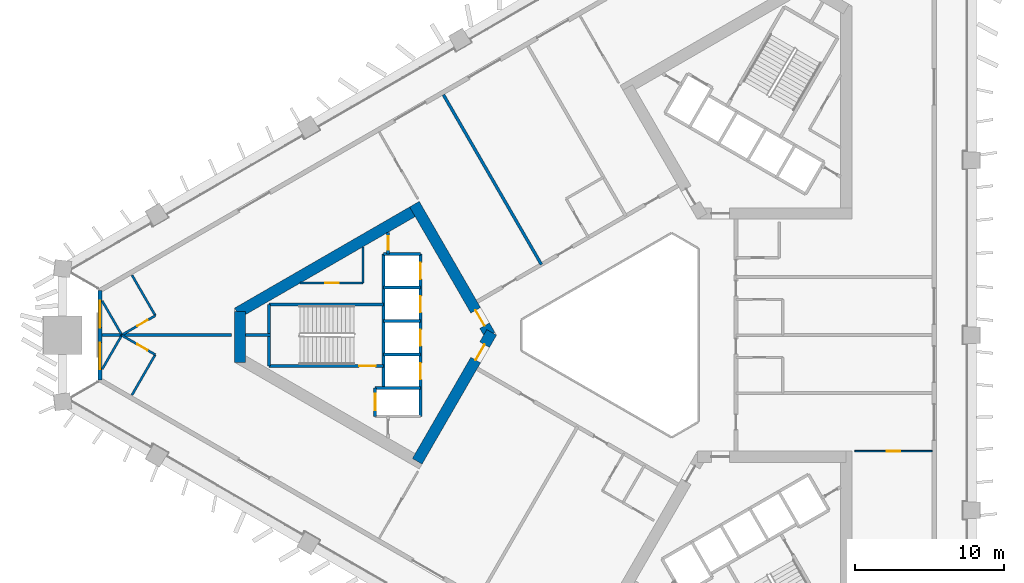
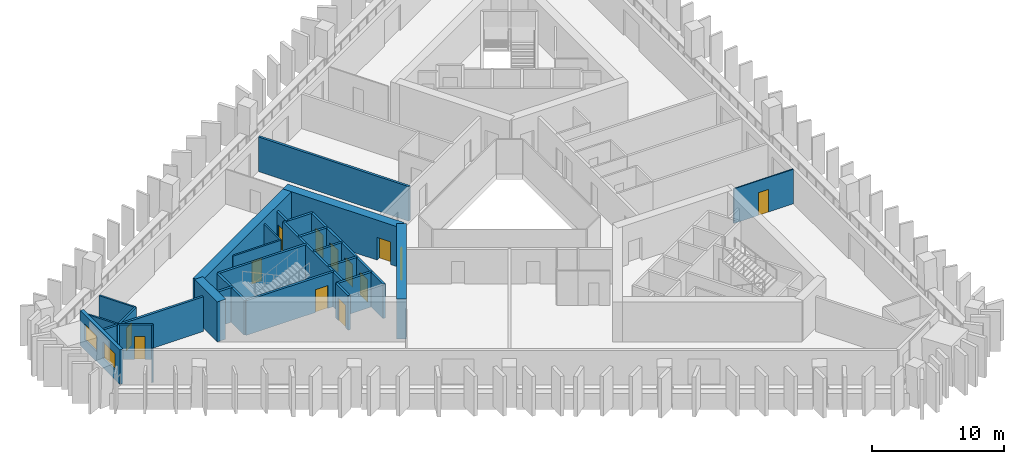
# One storey, part 4 of 11: 29 walls, 13 doors, 2 windows, 15 openings.
"""IFC4 building model written with IfcOpenShell, lengths in metres."""

from ifc_helpers import new_model, si_unit, direction, frame, frame_2d, origin, place, context, subcontext, project, spatial, rectangle, extrude, material, layer, layer_set, type_object, element, fill, save


model = new_model("IFC4")

# Units and contexts
model_context = context("Model", 3, precision=1e-05, world=origin(), true_north=direction((0.0, 1.0)))
body_context = subcontext(model_context, "Body", "Model", "MODEL_VIEW")
ifc_project = project(units=[si_unit("LENGTHUNIT", "METRE"), si_unit("AREAUNIT", "SQUARE_METRE"), si_unit("VOLUMEUNIT", "CUBIC_METRE"), si_unit("PLANEANGLEUNIT", "RADIAN"), si_unit("MASSUNIT", "GRAM", prefix="KILO")], contexts=[model_context])

# Site, building, storey
site_placement = place(None, origin())
site = spatial("IfcSite", under=ifc_project, at=site_placement, CompositionType="ELEMENT")
building_placement = place(site_placement, origin())
building = spatial("IfcBuilding", under=site, at=building_placement, Name="Jabali Bay Hotel Tower and Convention Centre", CompositionType="ELEMENT")
storey_placement = place(building_placement, frame((0.0, 0.0, 83.199951171875)))
storey = spatial("IfcBuildingStorey", under=building, at=storey_placement, Name="L19", CompositionType="ELEMENT", Elevation=83.199951171875)

# Wall
ifc_material_1 = material(Name="Concrete C40", Category="concrete")
ifc_layer_1 = layer(ifc_material_1, 0.199951171875)
ifc_layer_set_1 = layer_set([ifc_layer_1], Name="Concrete C40")
wall_type_1 = type_object("IfcWallType", Name="Core partition wall 200", PredefinedType="PARTITIONING", material=ifc_layer_set_1)
wall_1_placement = place(storey_placement, frame((50.820068359375, 80.0, 0.0), z_axis=(0.0, 0.0, 1.0), x_axis=(-1.0, 0.0, 0.0)))
element("IfcWall", 1, at=wall_1_placement, inside=storey, type_object=wall_type_1, Name="Core wall 0.5 L19", PredefinedType="PARTITIONING", context=body_context, shape_type="SweptSolid", body=[
    extrude(rectangle(XDim=1.673095703125, YDim=0.199951171875, at=frame_2d((0.83642578125, 0.0))), origin(), (0.0, 0.0, 1.0), 3.199951171875),
])

# Wall, opening, door
wall_2_placement = place(storey_placement, frame((58.719970703125, 86.916748046875, 0.0), z_axis=(0.0, 0.0, 1.0), x_axis=(0.0, -1.0, 0.0)))
wall_2 = element("IfcWall", 2, at=wall_2_placement, inside=storey, type_object=wall_type_1, Name="Core wall 0.11 L19", PredefinedType="PARTITIONING", context=body_context, shape_type="SweptSolid", body=[
    extrude(rectangle(XDim=1.466796875, YDim=0.199951171875, at=frame_2d((0.7333984375, 0.0))), origin(), (0.0, 0.0, 1.0), 3.199951171875),
])
opening_1_placement = place(wall_2_placement, frame((0.283447265625, 0.0, 0.0)))
opening_1 = element("IfcOpeningElement", 3, at=opening_1_placement, cuts=wall_2, Name="Opening D459", PredefinedType="OPENING", context=body_context, shape_type="SweptSolid", body=[
    extrude(rectangle(XDim=0.89990234375, YDim=2.10009765625, at=frame_2d((0.449951171875, 1.050048828125))), frame((0.0, 0.1103515625, 0.0), z_axis=(0.0, -1.0, 0.0), x_axis=(1.0, 0.0, 0.0)), (0.0, 0.0, 1.0), 0.220947265625),
])
ifc_material_2 = material(Name="Fire-rated steel door", Category="steel")
door_type_1 = type_object("IfcDoorType", Name="Vestibule fire door 900 x 2100", OperationType="NOTDEFINED", PredefinedType="NOTDEFINED", material=ifc_material_2)
door_1_placement = place(opening_1_placement, origin())
door_1 = element("IfcDoor", 4, at=door_1_placement, inside=storey, type_object=door_type_1, Name="Vestibule fire door D459", OperationType="SINGLE_SWING_LEFT", OverallHeight=2.10009765625, OverallWidth=0.89990234375, PredefinedType="NOTDEFINED", context=body_context, shape_type="SweptSolid", body=[
    extrude(rectangle(XDim=0.89990234375, YDim=2.10009765625, at=frame_2d((0.449951171875, 1.050048828125))), frame((0.0, 0.02490234375, 0.0), z_axis=(0.0, -1.0, 0.0), x_axis=(1.0, 0.0, 0.0)), (0.0, 0.0, 1.0), 0.050048828125),
])
fill(opening_1, door_1)

ifc_material_3 = material(Name="Fire-rated board partition")
ifc_layer_2 = layer(ifc_material_3, 0.14990234375)
ifc_layer_set_2 = layer_set([ifc_layer_2], Name="Fire-rated board partition")
wall_type_2 = type_object("IfcWallType", Name="Core room partition 150", PredefinedType="PARTITIONING", material=ifc_layer_set_2)
wall_3_placement = place(storey_placement, frame((57.02001953125, 83.5, 0.0), z_axis=(0.0, 0.0, 1.0), x_axis=(-1.0, 0.0, 0.0)))
wall_3 = element("IfcWall", 5, at=wall_3_placement, inside=storey, type_object=wall_type_2, Name="Core wall 0.1 L19", PredefinedType="PARTITIONING", context=body_context, shape_type="SweptSolid", body=[
    extrude(rectangle(XDim=4.2177734375, YDim=0.14990234375, at=frame_2d((2.10888671875, 0.0))), origin(), (0.0, 0.0, 1.0), 3.199951171875),
])
opening_2_placement = place(wall_3_placement, frame((1.63134765625, 0.0, 0.0)))
opening_2 = element("IfcOpeningElement", 6, at=opening_2_placement, cuts=wall_3, Name="Opening D461", PredefinedType="OPENING", context=body_context, shape_type="SweptSolid", body=[
    extrude(rectangle(XDim=0.89990234375, YDim=2.10009765625, at=frame_2d((0.449951171875, 1.050048828125))), frame((0.0, 0.08544921875, 0.0), z_axis=(0.0, -1.0, 0.0), x_axis=(1.0, 0.0, 0.0)), (0.0, 0.0, 1.0), 0.1708984375),
])
door_type_2 = type_object("IfcDoorType", Name="Core room door 900 x 2100", OperationType="NOTDEFINED", PredefinedType="NOTDEFINED", material=ifc_material_2)
door_2_placement = place(opening_2_placement, origin())
door_2 = element("IfcDoor", 7, at=door_2_placement, inside=storey, type_object=door_type_2, Name="Core room door D461", OperationType="SINGLE_SWING_LEFT", OverallHeight=2.10009765625, OverallWidth=0.89990234375, PredefinedType="NOTDEFINED", context=body_context, shape_type="SweptSolid", body=[
    extrude(rectangle(XDim=0.89990234375, YDim=2.10009765625, at=frame_2d((0.449951171875, 1.050048828125))), frame((0.0, 0.02490234375, 0.0), z_axis=(0.0, -1.0, 0.0), x_axis=(1.0, 0.0, 0.0)), (0.0, 0.0, 1.0), 0.050048828125),
])
fill(opening_2, door_2)

# Walls
wall_4_placement = place(storey_placement, frame((57.02001953125, 85.935302734375, 0.0), z_axis=(0.0, 0.0, 1.0), x_axis=(0.0, -1.0, 0.0)))
element("IfcWall", 8, at=wall_4_placement, inside=storey, type_object=wall_type_2, Name="Core wall 0.15 L19", PredefinedType="PARTITIONING", context=body_context, shape_type="SweptSolid", body=[
    extrude(rectangle(XDim=2.435302734375, YDim=0.14990234375, at=frame_2d((1.2177734375, 0.0))), origin(), (0.0, 0.0, 1.0), 3.199951171875),
])
ifc_layer_3 = layer(ifc_material_1, 0.199951171875)
ifc_layer_set_3 = layer_set([ifc_layer_3], Name="Concrete C40")
wall_type_3 = type_object("IfcWallType", Name="Core stair wall 200", PredefinedType="SOLIDWALL", material=ifc_layer_set_3)
for number, where, z_axis, x_axis, name in (
    (9, (60.89990234375, 85.449951171875, 0.0), (0.0, 0.0, 1.0), (-1.0, 0.0, 0.0), "Core wall 0.0 L19"),
    (10, (60.89990234375, 83.199951171875, 0.0), (0.0, 0.0, 1.0), (-1.0, 0.0, 0.0), "Core wall 0.2 L19"),
):
    element("IfcWall", number, at=place(storey_placement, frame(where, z_axis=z_axis, x_axis=x_axis)), inside=storey, type_object=wall_type_3, Name=name, PredefinedType="SOLIDWALL", context=body_context, shape_type="SweptSolid", body=[
        extrude(rectangle(XDim=2.47998046875, YDim=0.199951171875, at=frame_2d((1.239990234375, 0.0))), origin(), (0.0, 0.0, 1.0), 3.199951171875),
    ])
wall_5_placement = place(storey_placement, frame((58.419921875, 82.074951171875, 0.0), z_axis=(0.0, 0.0, 1.0), x_axis=(-1.0, 0.0, 0.0)))
element("IfcWall", 11, at=wall_5_placement, inside=storey, type_object=wall_type_3, Name="Core wall 0.3 L19", PredefinedType="SOLIDWALL", context=body_context, shape_type="SweptSolid", body=[
    extrude(rectangle(XDim=7.699951171875, YDim=0.199951171875, at=frame_2d((3.85009765625, 0.0))), origin(), (0.0, 0.0, 1.0), 3.199951171875),
])
for number, where, z_axis, x_axis, name in (
    (12, (60.89990234375, 80.949951171875, 0.0), (0.0, 0.0, 1.0), (-1.0, 0.0, 0.0), "Core wall 0.4 L19"),
    (13, (60.89990234375, 78.699951171875, 0.0), (0.0, 0.0, 1.0), (-1.0, 0.0, 0.0), "Core wall 0.6 L19"),
):
    element("IfcWall", number, at=place(storey_placement, frame(where, z_axis=z_axis, x_axis=x_axis)), inside=storey, type_object=wall_type_3, Name=name, PredefinedType="SOLIDWALL", context=body_context, shape_type="SweptSolid", body=[
        extrude(rectangle(XDim=2.47998046875, YDim=0.199951171875, at=frame_2d((1.239990234375, 0.0))), origin(), (0.0, 0.0, 1.0), 3.199951171875),
    ])

# Wall, opening, door
wall_6_placement = place(storey_placement, frame((58.419921875, 77.925048828125, 0.0), z_axis=(0.0, 0.0, 1.0), x_axis=(-1.0, 0.0, 0.0)))
wall_6 = element("IfcWall", 14, at=wall_6_placement, inside=storey, type_object=wall_type_3, Name="Core wall 0.7 L19", PredefinedType="SOLIDWALL", context=body_context, shape_type="SweptSolid", body=[
    extrude(rectangle(XDim=7.699951171875, YDim=0.199951171875, at=frame_2d((3.85009765625, 0.0))), origin(), (0.0, 0.0, 1.0), 3.199951171875),
])
opening_3_placement = place(wall_6_placement, frame((0.550048828125, 0.0, 0.0)))
opening_3 = element("IfcOpeningElement", 15, at=opening_3_placement, cuts=wall_6, Name="Opening D460", PredefinedType="OPENING", context=body_context, shape_type="SweptSolid", body=[
    extrude(rectangle(XDim=1.10009765625, YDim=2.10009765625, at=frame_2d((0.550048828125, 1.050048828125))), frame((0.0, 0.1103515625, 0.0), z_axis=(0.0, -1.0, 0.0), x_axis=(1.0, 0.0, 0.0)), (0.0, 0.0, 1.0), 0.220947265625),
])
door_type_3 = type_object("IfcDoorType", Name="Stair fire door 1100 x 2100", OperationType="NOTDEFINED", PredefinedType="NOTDEFINED", material=ifc_material_2)
door_3_placement = place(opening_3_placement, origin())
door_3 = element("IfcDoor", 16, at=door_3_placement, inside=storey, type_object=door_type_3, Name="Stair fire door D460", OperationType="SINGLE_SWING_RIGHT", OverallHeight=2.10009765625, OverallWidth=1.10009765625, PredefinedType="NOTDEFINED", context=body_context, shape_type="SweptSolid", body=[
    extrude(rectangle(XDim=1.10009765625, YDim=2.10009765625, at=frame_2d((0.550048828125, 1.050048828125))), frame((0.0, 0.02490234375, 0.0), z_axis=(0.0, -1.0, 0.0), x_axis=(1.0, 0.0, 0.0)), (0.0, 0.0, 1.0), 0.050048828125),
])
fill(opening_3, door_3)

# Wall
wall_7_placement = place(storey_placement, frame((60.89990234375, 76.449951171875, 0.0), z_axis=(0.0, 0.0, 1.0), x_axis=(-1.0, 0.0, 0.0)))
element("IfcWall", 17, at=wall_7_placement, inside=storey, type_object=wall_type_3, Name="Core wall 0.8 L19", PredefinedType="SOLIDWALL", context=body_context, shape_type="SweptSolid", body=[
    extrude(rectangle(XDim=3.0498046875, YDim=0.199951171875, at=frame_2d((1.52490234375, 0.0))), origin(), (0.0, 0.0, 1.0), 3.199951171875),
])

# Wall, openings, doors
wall_8_placement = place(storey_placement, frame((60.89990234375, 85.449951171875, 0.0), z_axis=(0.0, 0.0, 1.0), x_axis=(0.0, -1.0, 0.0)))
wall_8 = element("IfcWall", 18, at=wall_8_placement, inside=storey, type_object=wall_type_3, Name="Core wall 0.10 L19", PredefinedType="SOLIDWALL", context=body_context, shape_type="SweptSolid", body=[
    extrude(rectangle(XDim=10.89990234375, YDim=0.199951171875, at=frame_2d((5.449951171875, 0.0))), origin(), (0.0, 0.0, 1.0), 3.199951171875),
])
opening_4_placement = place(wall_8_placement, frame((0.574951171875, 0.0, 0.0)))
opening_4 = element("IfcOpeningElement", 19, at=opening_4_placement, cuts=wall_8, Name="Opening LD1-L19", PredefinedType="OPENING", context=body_context, shape_type="SweptSolid", body=[
    extrude(rectangle(XDim=1.10009765625, YDim=2.10009765625, at=frame_2d((0.550048828125, 1.050048828125))), frame((0.0, 0.1103515625, 0.0), z_axis=(0.0, -1.0, 0.0), x_axis=(1.0, 0.0, 0.0)), (0.0, 0.0, 1.0), 0.220947265625),
])
opening_5_placement = place(wall_8_placement, frame((2.824951171875, 0.0, 0.0)))
opening_5 = element("IfcOpeningElement", 20, at=opening_5_placement, cuts=wall_8, Name="Opening LD2-L19", PredefinedType="OPENING", context=body_context, shape_type="SweptSolid", body=[
    extrude(rectangle(XDim=1.10009765625, YDim=2.10009765625, at=frame_2d((0.550048828125, 1.050048828125))), frame((0.0, 0.1103515625, 0.0), z_axis=(0.0, -1.0, 0.0), x_axis=(1.0, 0.0, 0.0)), (0.0, 0.0, 1.0), 0.220947265625),
])
opening_6_placement = place(wall_8_placement, frame((5.074951171875, 0.0, 0.0)))
opening_6 = element("IfcOpeningElement", 21, at=opening_6_placement, cuts=wall_8, Name="Opening LD3-L19", PredefinedType="OPENING", context=body_context, shape_type="SweptSolid", body=[
    extrude(rectangle(XDim=1.10009765625, YDim=2.10009765625, at=frame_2d((0.550048828125, 1.050048828125))), frame((0.0, 0.1103515625, 0.0), z_axis=(0.0, -1.0, 0.0), x_axis=(1.0, 0.0, 0.0)), (0.0, 0.0, 1.0), 0.220947265625),
])
opening_7_placement = place(wall_8_placement, frame((7.324951171875, 0.0, 0.0)))
opening_7 = element("IfcOpeningElement", 22, at=opening_7_placement, cuts=wall_8, Name="Opening LD4-L19", PredefinedType="OPENING", context=body_context, shape_type="SweptSolid", body=[
    extrude(rectangle(XDim=1.10009765625, YDim=2.10009765625, at=frame_2d((0.550048828125, 1.050048828125))), frame((0.0, 0.1103515625, 0.0), z_axis=(0.0, -1.0, 0.0), x_axis=(1.0, 0.0, 0.0)), (0.0, 0.0, 1.0), 0.220947265625),
])
ifc_material_4 = material(Name="Stainless steel landing door", Category="steel")
door_type_4 = type_object("IfcDoorType", Name="Landing door 1100 x 2100", OperationType="NOTDEFINED", PredefinedType="NOTDEFINED", material=ifc_material_4)
door_4_placement = place(opening_4_placement, origin())
door_4 = element("IfcDoor", 23, at=door_4_placement, inside=storey, type_object=door_type_4, Name="Landing doors LD1-L19", OperationType="SLIDING_TO_RIGHT", OverallHeight=2.10009765625, OverallWidth=1.10009765625, PredefinedType="NOTDEFINED", context=body_context, shape_type="SweptSolid", body=[
    extrude(rectangle(XDim=1.10009765625, YDim=2.10009765625, at=frame_2d((0.550048828125, 1.050048828125))), frame((0.0, 0.02490234375, 0.0), z_axis=(0.0, -1.0, 0.0), x_axis=(1.0, 0.0, 0.0)), (0.0, 0.0, 1.0), 0.050048828125),
])
fill(opening_4, door_4)
door_5_placement = place(opening_5_placement, origin())
door_5 = element("IfcDoor", 24, at=door_5_placement, inside=storey, type_object=door_type_4, Name="Landing doors LD2-L19", OperationType="SLIDING_TO_LEFT", OverallHeight=2.10009765625, OverallWidth=1.10009765625, PredefinedType="NOTDEFINED", context=body_context, shape_type="SweptSolid", body=[
    extrude(rectangle(XDim=1.10009765625, YDim=2.10009765625, at=frame_2d((0.550048828125, 1.050048828125))), frame((0.0, 0.02490234375, 0.0), z_axis=(0.0, -1.0, 0.0), x_axis=(1.0, 0.0, 0.0)), (0.0, 0.0, 1.0), 0.050048828125),
])
fill(opening_5, door_5)
door_6_placement = place(opening_6_placement, origin())
door_6 = element("IfcDoor", 25, at=door_6_placement, inside=storey, type_object=door_type_4, Name="Landing doors LD3-L19", OperationType="SLIDING_TO_RIGHT", OverallHeight=2.10009765625, OverallWidth=1.10009765625, PredefinedType="NOTDEFINED", context=body_context, shape_type="SweptSolid", body=[
    extrude(rectangle(XDim=1.10009765625, YDim=2.10009765625, at=frame_2d((0.550048828125, 1.050048828125))), frame((0.0, 0.02490234375, 0.0), z_axis=(0.0, -1.0, 0.0), x_axis=(1.0, 0.0, 0.0)), (0.0, 0.0, 1.0), 0.050048828125),
])
fill(opening_6, door_6)
door_7_placement = place(opening_7_placement, origin())
door_7 = element("IfcDoor", 26, at=door_7_placement, inside=storey, type_object=door_type_4, Name="Landing doors LD4-L19", OperationType="SLIDING_TO_LEFT", OverallHeight=2.10009765625, OverallWidth=1.10009765625, PredefinedType="NOTDEFINED", context=body_context, shape_type="SweptSolid", body=[
    extrude(rectangle(XDim=1.10009765625, YDim=2.10009765625, at=frame_2d((0.550048828125, 1.050048828125))), frame((0.0, 0.02490234375, 0.0), z_axis=(0.0, -1.0, 0.0), x_axis=(1.0, 0.0, 0.0)), (0.0, 0.0, 1.0), 0.050048828125),
])
fill(opening_7, door_7)

# Wall
wall_9_placement = place(storey_placement, frame((58.419921875, 85.449951171875, 0.0), z_axis=(0.0, 0.0, 1.0), x_axis=(0.0, -1.0, 0.0)))
element("IfcWall", 27, at=wall_9_placement, inside=storey, type_object=wall_type_3, Name="Core wall 0.13 L19", PredefinedType="SOLIDWALL", context=body_context, shape_type="SweptSolid", body=[
    extrude(rectangle(XDim=9.0, YDim=0.199951171875, at=frame_2d((4.5, 0.0))), origin(), (0.0, 0.0, 1.0), 3.199951171875),
])

# Wall, opening, door
wall_10_placement = place(storey_placement, frame((57.85009765625, 76.449951171875, 0.0), z_axis=(0.0, 0.0, 1.0), x_axis=(0.0, -1.0, 0.0)))
wall_10 = element("IfcWall", 28, at=wall_10_placement, inside=storey, type_object=wall_type_3, Name="Core wall 0.14 L19", PredefinedType="SOLIDWALL", context=body_context, shape_type="SweptSolid", body=[
    extrude(rectangle(XDim=1.89990234375, YDim=0.199951171875, at=frame_2d((0.949951171875, 0.0))), origin(), (0.0, 0.0, 1.0), 3.199951171875),
])
opening_8_placement = place(wall_10_placement, frame((0.39990234375, 0.0, 0.0)))
opening_8 = element("IfcOpeningElement", 29, at=opening_8_placement, cuts=wall_10, Name="Opening LD5-L19", PredefinedType="OPENING", context=body_context, shape_type="SweptSolid", body=[
    extrude(rectangle(XDim=1.10009765625, YDim=2.10009765625, at=frame_2d((0.550048828125, 1.050048828125))), frame((0.0, 0.1103515625, 0.0), z_axis=(0.0, -1.0, 0.0), x_axis=(1.0, 0.0, 0.0)), (0.0, 0.0, 1.0), 0.220947265625),
])
door_8_placement = place(opening_8_placement, origin())
door_8 = element("IfcDoor", 30, at=door_8_placement, inside=storey, type_object=door_type_4, Name="Landing doors LD5-L19", OperationType="SLIDING_TO_RIGHT", OverallHeight=2.10009765625, OverallWidth=1.10009765625, PredefinedType="NOTDEFINED", context=body_context, shape_type="SweptSolid", body=[
    extrude(rectangle(XDim=1.10009765625, YDim=2.10009765625, at=frame_2d((0.550048828125, 1.050048828125))), frame((0.0, 0.02490234375, 0.0), z_axis=(0.0, -1.0, 0.0), x_axis=(1.0, 0.0, 0.0)), (0.0, 0.0, 1.0), 0.050048828125),
])
fill(opening_8, door_8)

# Wall
wall_11_placement = place(storey_placement, frame((50.719970703125, 82.074951171875, 0.0), z_axis=(0.0, 0.0, 1.0), x_axis=(0.0, -1.0, 0.0)))
element("IfcWall", 31, at=wall_11_placement, inside=storey, type_object=wall_type_3, Name="Core wall 0.16 L19", PredefinedType="SOLIDWALL", context=body_context, shape_type="SweptSolid", body=[
    extrude(rectangle(XDim=4.14990234375, YDim=0.199951171875, at=frame_2d((2.074951171875, 0.0))), origin(), (0.0, 0.0, 1.0), 3.199951171875),
])

# Wall, opening, door
ifc_material_5 = material(Name="Concrete C60", Category="concrete")
ifc_layer_4 = layer(ifc_material_5, 0.75)
ifc_layer_set_4 = layer_set([ifc_layer_4], Name="Concrete C60")
wall_type_4 = type_object("IfcWallType", Name="Core wall 750", PredefinedType="SHEAR", material=ifc_layer_set_4)
wall_12_placement = place(storey_placement, frame((65.56689453125, 80.0, 0.0), z_axis=(0.0, 0.0, 1.0), x_axis=(-0.499988615364, 0.866031976607, 0.0)))
wall_12 = element("IfcWall", 32, at=wall_12_placement, inside=storey, type_object=wall_type_4, Name="Core wall 1.1 L19", PredefinedType="SHEAR", context=body_context, shape_type="SweptSolid", body=[
    extrude(rectangle(XDim=10.163330078125, YDim=0.75, at=frame_2d((5.08154296875, 0.0))), origin(), (0.0, 0.0, 1.0), 3.699951171875),
])
opening_9_placement = place(wall_12_placement, frame((0.7333984375, 0.0, 0.0)))
opening_9 = element("IfcOpeningElement", 33, at=opening_9_placement, cuts=wall_12, Name="Opening D456", PredefinedType="OPENING", context=body_context, shape_type="SweptSolid", body=[
    extrude(rectangle(XDim=1.199951171875, YDim=2.10009765625, at=frame_2d((0.60009765625, 1.050048828125))), frame((0.0, 0.385498046875, 0.0), z_axis=(0.0, -1.0, 0.0), x_axis=(1.0, 0.0, 0.0)), (0.0, 0.0, 1.0), 0.77099609375),
])
door_type_5 = type_object("IfcDoorType", Name="Corridor end fire door 1200 x 2100", OperationType="NOTDEFINED", PredefinedType="NOTDEFINED", material=ifc_material_2)
door_9_placement = place(opening_9_placement, origin())
door_9 = element("IfcDoor", 34, at=door_9_placement, inside=storey, type_object=door_type_5, Name="Corridor end fire door D456", OperationType="SINGLE_SWING_RIGHT", OverallHeight=2.10009765625, OverallWidth=1.199951171875, PredefinedType="NOTDEFINED", context=body_context, shape_type="SweptSolid", body=[
    extrude(rectangle(XDim=1.199951171875, YDim=2.10009765625, at=frame_2d((0.60009765625, 1.050048828125))), frame((0.0, 0.02490234375, 0.0), z_axis=(0.0, -1.0, 0.0), x_axis=(1.0, 0.0, 0.0)), (0.0, 0.0, 1.0), 0.050048828125),
])
fill(opening_9, door_9)

# Walls
wall_13_placement = place(storey_placement, frame((60.6728515625, 88.47705078125, 0.0), z_axis=(0.0, 0.0, 1.0), x_axis=(-0.8660248072, -0.500001033313, 0.0)))
element("IfcWall", 35, at=wall_13_placement, inside=storey, type_object=wall_type_4, Name="Core wall 1.2 L19", PredefinedType="SHEAR", context=body_context, shape_type="SweptSolid", body=[
    extrude(rectangle(XDim=13.95849609375, YDim=0.75, at=frame_2d((6.979248046875, 0.0))), origin(), (0.0, 0.0, 1.0), 3.699951171875),
])
wall_14_placement = place(storey_placement, frame((48.77197265625, 81.606201171875, 0.0), z_axis=(0.0, 0.0, 1.0), x_axis=(0.0, -1.0, 0.0)))
element("IfcWall", 36, at=wall_14_placement, inside=storey, type_object=wall_type_4, Name="Core wall 1.3 L19", PredefinedType="SHEAR", context=body_context, shape_type="SweptSolid", body=[
    extrude(rectangle(XDim=3.428955078125, YDim=0.75, at=frame_2d((1.71435546875, 0.0))), origin(), (0.0, 0.0, 1.0), 3.699951171875),
])

# Wall, opening, door
wall_15_placement = place(storey_placement, frame((60.6728515625, 71.52294921875, 0.0), z_axis=(0.0, 0.0, 1.0), x_axis=(0.499997052475, 0.866027105532, 0.0)))
wall_15 = element("IfcWall", 37, at=wall_15_placement, inside=storey, type_object=wall_type_4, Name="Core wall 1.5 L19", PredefinedType="SHEAR", context=body_context, shape_type="SweptSolid", body=[
    extrude(rectangle(XDim=10.0048828125, YDim=0.75, at=frame_2d((5.00244140625, 0.0))), origin(), (0.0, 0.0, 1.0), 3.699951171875),
])
opening_10_placement = place(wall_15_placement, frame((7.85498046875, 0.0, 0.0)))
opening_10 = element("IfcOpeningElement", 38, at=opening_10_placement, cuts=wall_15, Name="Opening D457", PredefinedType="OPENING", context=body_context, shape_type="SweptSolid", body=[
    extrude(rectangle(XDim=1.199951171875, YDim=2.10009765625, at=frame_2d((0.60009765625, 1.050048828125))), frame((0.0, 0.385498046875, 0.0), z_axis=(0.0, -1.0, 0.0), x_axis=(1.0, 0.0, 0.0)), (0.0, 0.0, 1.0), 0.77099609375),
])
door_10_placement = place(opening_10_placement, origin())
door_10 = element("IfcDoor", 39, at=door_10_placement, inside=storey, type_object=door_type_5, Name="Corridor end fire door D457", OperationType="SINGLE_SWING_LEFT", OverallHeight=2.10009765625, OverallWidth=1.199951171875, PredefinedType="NOTDEFINED", context=body_context, shape_type="SweptSolid", body=[
    extrude(rectangle(XDim=1.199951171875, YDim=2.10009765625, at=frame_2d((0.60009765625, 1.050048828125))), frame((0.0, 0.02490234375, 0.0), z_axis=(0.0, -1.0, 0.0), x_axis=(1.0, 0.0, 0.0)), (0.0, 0.0, 1.0), 0.050048828125),
])
fill(opening_10, door_10)

# Wall, openings, windows
ifc_layer_5 = layer(ifc_material_1, 0.300048828125)
ifc_layer_set_5 = layer_set([ifc_layer_5], Name="Concrete C40")
wall_type_5 = type_object("IfcWallType", Name="External wall 300", PredefinedType="SOLIDWALL", material=ifc_layer_set_5)
wall_16_placement = place(storey_placement, frame((39.353271484375, 76.994873046875, 0.0), z_axis=(0.0, 0.0, 1.0), x_axis=(0.0, 1.0, 0.0)))
wall_16 = element("IfcWall", 40, at=wall_16_placement, inside=storey, type_object=wall_type_5, Name="External wall west chamfer L19", PredefinedType="SOLIDWALL", context=body_context, shape_type="SweptSolid", body=[
    extrude(rectangle(XDim=6.01025390625, YDim=0.300048828125, at=frame_2d((3.005126953125, 0.0))), origin(), (0.0, 0.0, 1.0), 3.199951171875),
])
opening_11_placement = place(wall_16_placement, frame((3.512451171875, 0.0, 0.89990234375)))
opening_11 = element("IfcOpeningElement", 41, at=opening_11_placement, cuts=wall_16, Name="Opening W1", PredefinedType="OPENING", context=body_context, shape_type="SweptSolid", body=[
    extrude(rectangle(XDim=1.800048828125, YDim=1.5, at=frame_2d((0.89990234375, 0.75))), frame((0.0, 0.16064453125, 0.0), z_axis=(0.0, -1.0, 0.0), x_axis=(1.0, 0.0, 0.0)), (0.0, 0.0, 1.0), 0.321044921875),
])
opening_12_placement = place(wall_16_placement, frame((0.70458984375, 0.0, 0.89990234375)))
opening_12 = element("IfcOpeningElement", 42, at=opening_12_placement, cuts=wall_16, Name="Opening W1", PredefinedType="OPENING", context=body_context, shape_type="SweptSolid", body=[
    extrude(rectangle(XDim=1.800048828125, YDim=1.5, at=frame_2d((0.89990234375, 0.75))), frame((0.0, 0.16064453125, 0.0), z_axis=(0.0, -1.0, 0.0), x_axis=(1.0, 0.0, 0.0)), (0.0, 0.0, 1.0), 0.321044921875),
])
ifc_material_6 = material(Name="Glass", Category="glass")
window_type = type_object("IfcWindowType", Name="Window 1800 x 1500", PartitioningType="SINGLE_PANEL", PredefinedType="WINDOW", material=ifc_material_6)
window_1_placement = place(opening_11_placement, origin())
window_1 = element("IfcWindow", 43, at=window_1_placement, inside=storey, type_object=window_type, Name="Window 1907", OverallHeight=1.5, OverallWidth=1.800048828125, PartitioningType="SINGLE_PANEL", PredefinedType="WINDOW", context=body_context, shape_type="SweptSolid", body=[
    extrude(rectangle(XDim=1.800048828125, YDim=1.5, at=frame_2d((0.89990234375, 0.75))), frame((0.0, 0.030029296875, 0.0), z_axis=(0.0, -1.0, 0.0), x_axis=(1.0, 0.0, 0.0)), (0.0, 0.0, 1.0), 0.06005859375),
])
fill(opening_11, window_1)
window_2_placement = place(opening_12_placement, origin())
window_2 = element("IfcWindow", 44, at=window_2_placement, inside=storey, type_object=window_type, Name="Window 1908", OverallHeight=1.5, OverallWidth=1.800048828125, PartitioningType="SINGLE_PANEL", PredefinedType="WINDOW", context=body_context, shape_type="SweptSolid", body=[
    extrude(rectangle(XDim=1.800048828125, YDim=1.5, at=frame_2d((0.89990234375, 0.75))), frame((0.0, 0.030029296875, 0.0), z_axis=(0.0, -1.0, 0.0), x_axis=(1.0, 0.0, 0.0)), (0.0, 0.0, 1.0), 0.06005859375),
])
fill(opening_12, window_2)

# Wall, opening, door
ifc_material_7 = material(Name="Plasterboard on steel stud", Category="steel")
ifc_layer_6 = layer(ifc_material_7, 0.10009765625)
ifc_layer_set_6 = layer_set([ifc_layer_6], Name="Plasterboard on steel stud")
wall_type_6 = type_object("IfcWallType", Name="Partition 100 unit", PredefinedType="PARTITIONING", material=ifc_layer_set_6)
wall_17_placement = place(storey_placement, frame((90.0791015625, 72.205810546875, 0.0), z_axis=(0.0, 0.0, 1.0), x_axis=(1.0, 0.0, 0.0)))
wall_17 = element("IfcWall", 45, at=wall_17_placement, inside=storey, type_object=wall_type_6, Name="Partition P02 L19 001", PredefinedType="PARTITIONING", context=body_context, shape_type="SweptSolid", body=[
    extrude(rectangle(XDim=5.19775390625, YDim=0.10009765625, at=frame_2d((2.598876953125, 0.0))), origin(), (0.0, 0.0, 1.0), 3.199951171875),
])
opening_13_placement = place(wall_17_placement, frame((2.14892578125, 0.0, 0.0)))
opening_13 = element("IfcOpeningElement", 46, at=opening_13_placement, cuts=wall_17, Name="Opening 1902", PredefinedType="OPENING", context=body_context, shape_type="SweptSolid", body=[
    extrude(rectangle(XDim=0.89990234375, YDim=2.10009765625, at=frame_2d((0.449951171875, 1.050048828125))), frame((0.0, 0.060546875, 0.0), z_axis=(0.0, -1.0, 0.0), x_axis=(1.0, 0.0, 0.0)), (0.0, 0.0, 1.0), 0.12109375),
])
ifc_material_8 = material(Name="Timber", Category="wood")
door_type_6 = type_object("IfcDoorType", Name="Internal door 900 x 2100", OperationType="NOTDEFINED", PredefinedType="NOTDEFINED", material=ifc_material_8)
door_11_placement = place(opening_13_placement, origin())
door_11 = element("IfcDoor", 47, at=door_11_placement, inside=storey, type_object=door_type_6, Name="Door 1902", OperationType="SINGLE_SWING_RIGHT", OverallHeight=2.10009765625, OverallWidth=0.89990234375, PredefinedType="NOTDEFINED", context=body_context, shape_type="SweptSolid", body=[
    extrude(rectangle(XDim=0.89990234375, YDim=2.10009765625, at=frame_2d((0.449951171875, 1.050048828125))), frame((0.0, 0.02490234375, 0.0), z_axis=(0.0, -1.0, 0.0), x_axis=(1.0, 0.0, 0.0)), (0.0, 0.0, 1.0), 0.050048828125),
])
fill(opening_13, door_11)

# Wall
ifc_layer_7 = layer(ifc_material_7, 0.14990234375)
ifc_layer_set_7 = layer_set([ifc_layer_7], Name="Plasterboard on steel stud")
wall_type_7 = type_object("IfcWallType", Name="Partition 150 wet", PredefinedType="PARTITIONING", material=ifc_layer_set_7)
wall_18_placement = place(storey_placement, frame((41.50439453125, 84.02783203125, 0.0), z_axis=(0.0, 0.0, 1.0), x_axis=(0.499967424082, -0.866044210682, 0.0)))
element("IfcWall", 48, at=wall_18_placement, inside=storey, type_object=wall_type_7, Name="Partition P03 L19 027", PredefinedType="PARTITIONING", context=body_context, shape_type="SweptSolid", body=[
    extrude(rectangle(XDim=3.134521484375, YDim=0.14990234375, at=frame_2d((1.5673828125, 0.0))), origin(), (0.0, 0.0, 1.0), 3.199951171875),
])

# Wall, opening, door
wall_19_placement = place(storey_placement, frame((43.071533203125, 81.313232421875, 0.0), z_axis=(0.0, 0.0, 1.0), x_axis=(-0.866021400173, -0.500006934395, 0.0)))
wall_19 = element("IfcWall", 49, at=wall_19_placement, inside=storey, type_object=wall_type_7, Name="Partition P03 L19 028", PredefinedType="PARTITIONING", context=body_context, shape_type="SweptSolid", body=[
    extrude(rectangle(XDim=2.60009765625, YDim=0.14990234375, at=frame_2d((1.300048828125, 0.0))), origin(), (0.0, 0.0, 1.0), 3.199951171875),
])
opening_14_placement = place(wall_19_placement, frame((0.60009765625, 0.0, 0.0)))
opening_14 = element("IfcOpeningElement", 50, at=opening_14_placement, cuts=wall_19, Name="Opening 1917", PredefinedType="OPENING", context=body_context, shape_type="SweptSolid", body=[
    extrude(rectangle(XDim=0.800048828125, YDim=2.10009765625, at=frame_2d((0.39990234375, 1.050048828125))), frame((0.0, 0.08544921875, 0.0), z_axis=(0.0, -1.0, 0.0), x_axis=(1.0, 0.0, 0.0)), (0.0, 0.0, 1.0), 0.1708984375),
])
door_type_7 = type_object("IfcDoorType", Name="En-suite door 800 x 2100", OperationType="NOTDEFINED", PredefinedType="NOTDEFINED", material=ifc_material_8)
door_12_placement = place(opening_14_placement, origin())
door_12 = element("IfcDoor", 51, at=door_12_placement, inside=storey, type_object=door_type_7, Name="Door 1917", OperationType="SINGLE_SWING_LEFT", OverallHeight=2.10009765625, OverallWidth=0.800048828125, PredefinedType="NOTDEFINED", context=body_context, shape_type="SweptSolid", body=[
    extrude(rectangle(XDim=0.800048828125, YDim=2.10009765625, at=frame_2d((0.39990234375, 1.050048828125))), frame((0.0, 0.02490234375, 0.0), z_axis=(0.0, -1.0, 0.0), x_axis=(1.0, 0.0, 0.0)), (0.0, 0.0, 1.0), 0.050048828125),
])
fill(opening_14, door_12)

# Walls
wall_20_placement = place(storey_placement, frame((40.81982421875, 80.01318359375, 0.0), z_axis=(0.0, 0.0, 1.0), x_axis=(-0.499995114243, 0.866028224559, 0.0)))
element("IfcWall", 52, at=wall_20_placement, inside=storey, type_object=wall_type_7, Name="Partition P03 L19 029", PredefinedType="PARTITIONING", context=body_context, shape_type="SweptSolid", body=[
    extrude(rectangle(XDim=2.63525390625, YDim=0.14990234375, at=frame_2d((1.317626953125, 0.0))), origin(), (0.0, 0.0, 1.0), 3.199951171875),
])
wall_21_placement = place(storey_placement, frame((39.502197265625, 77.7177734375, 0.0), z_axis=(0.0, 0.0, 1.0), x_axis=(0.499972156837, 0.866041478445, 0.0)))
element("IfcWall", 53, at=wall_21_placement, inside=storey, type_object=wall_type_7, Name="Partition P03 L19 033", PredefinedType="PARTITIONING", context=body_context, shape_type="SweptSolid", body=[
    extrude(rectangle(XDim=2.623779296875, YDim=0.14990234375, at=frame_2d((1.31201171875, 0.0))), origin(), (0.0, 0.0, 1.0), 3.199951171875),
])

# Wall, opening, door
wall_22_placement = place(storey_placement, frame((40.81396484375, 79.989990234375, 0.0), z_axis=(0.0, 0.0, 1.0), x_axis=(0.866062058628, -0.499936506574, 0.0)))
wall_22 = element("IfcWall", 54, at=wall_22_placement, inside=storey, type_object=wall_type_7, Name="Partition P03 L19 034", PredefinedType="PARTITIONING", context=body_context, shape_type="SweptSolid", body=[
    extrude(rectangle(XDim=2.599853515625, YDim=0.14990234375, at=frame_2d((1.2998046875, 0.0))), origin(), (0.0, 0.0, 1.0), 3.199951171875),
])
opening_15_placement = place(wall_22_placement, frame((1.199951171875, 0.0, 0.0)))
opening_15 = element("IfcOpeningElement", 55, at=opening_15_placement, cuts=wall_22, Name="Opening 1920", PredefinedType="OPENING", context=body_context, shape_type="SweptSolid", body=[
    extrude(rectangle(XDim=0.800048828125, YDim=2.10009765625, at=frame_2d((0.39990234375, 1.050048828125))), frame((0.0, 0.08544921875, 0.0), z_axis=(0.0, -1.0, 0.0), x_axis=(1.0, 0.0, 0.0)), (0.0, 0.0, 1.0), 0.1708984375),
])
door_13_placement = place(opening_15_placement, origin())
door_13 = element("IfcDoor", 56, at=door_13_placement, inside=storey, type_object=door_type_7, Name="Door 1920", OperationType="SINGLE_SWING_RIGHT", OverallHeight=2.10009765625, OverallWidth=0.800048828125, PredefinedType="NOTDEFINED", context=body_context, shape_type="SweptSolid", body=[
    extrude(rectangle(XDim=0.800048828125, YDim=2.10009765625, at=frame_2d((0.39990234375, 1.050048828125))), frame((0.0, 0.02490234375, 0.0), z_axis=(0.0, -1.0, 0.0), x_axis=(1.0, 0.0, 0.0)), (0.0, 0.0, 1.0), 0.050048828125),
])
fill(opening_15, door_13)

# Walls
wall_23_placement = place(storey_placement, frame((43.065673828125, 78.690185546875, 0.0), z_axis=(0.0, 0.0, 1.0), x_axis=(-0.499967424082, -0.866044210682, 0.0)))
element("IfcWall", 57, at=wall_23_placement, inside=storey, type_object=wall_type_7, Name="Partition P03 L19 035", PredefinedType="PARTITIONING", context=body_context, shape_type="SweptSolid", body=[
    extrude(rectangle(XDim=3.134521484375, YDim=0.14990234375, at=frame_2d((1.5673828125, 0.0))), origin(), (0.0, 0.0, 1.0), 3.199951171875),
])
ifc_layer_8 = layer(ifc_material_7, 0.199951171875)
ifc_layer_set_8 = layer_set([ifc_layer_8], Name="Plasterboard on steel stud")
wall_type_8 = type_object("IfcWallType", Name="Partition 200 party", PredefinedType="PARTITIONING", material=ifc_layer_set_8)
wall_24_placement = place(storey_placement, frame((62.431640625, 96.157470703125, 0.0), z_axis=(0.0, 0.0, 1.0), x_axis=(0.499992964734, -0.866029465559, 0.0)))
element("IfcWall", 58, at=wall_24_placement, inside=storey, type_object=wall_type_8, Name="Partition P01 L19 025", PredefinedType="PARTITIONING", context=body_context, shape_type="SweptSolid", body=[
    extrude(rectangle(XDim=13.177001953125, YDim=0.199951171875, at=frame_2d((6.58837890625, 0.0))), origin(), (0.0, 0.0, 1.0), 3.199951171875),
])
wall_25_placement = place(storey_placement, frame((39.502197265625, 80.0, 0.0), z_axis=(0.0, 0.0, 1.0), x_axis=(1.0, 0.0, 0.0)))
element("IfcWall", 59, at=wall_25_placement, inside=storey, type_object=wall_type_8, Name="Partition P01 L19 030", PredefinedType="PARTITIONING", context=body_context, shape_type="SweptSolid", body=[
    extrude(rectangle(XDim=8.69580078125, YDim=0.199951171875, at=frame_2d((4.347900390625, 0.0))), origin(), (0.0, 0.0, 1.0), 3.199951171875),
])

save(model, "model.ifc")
